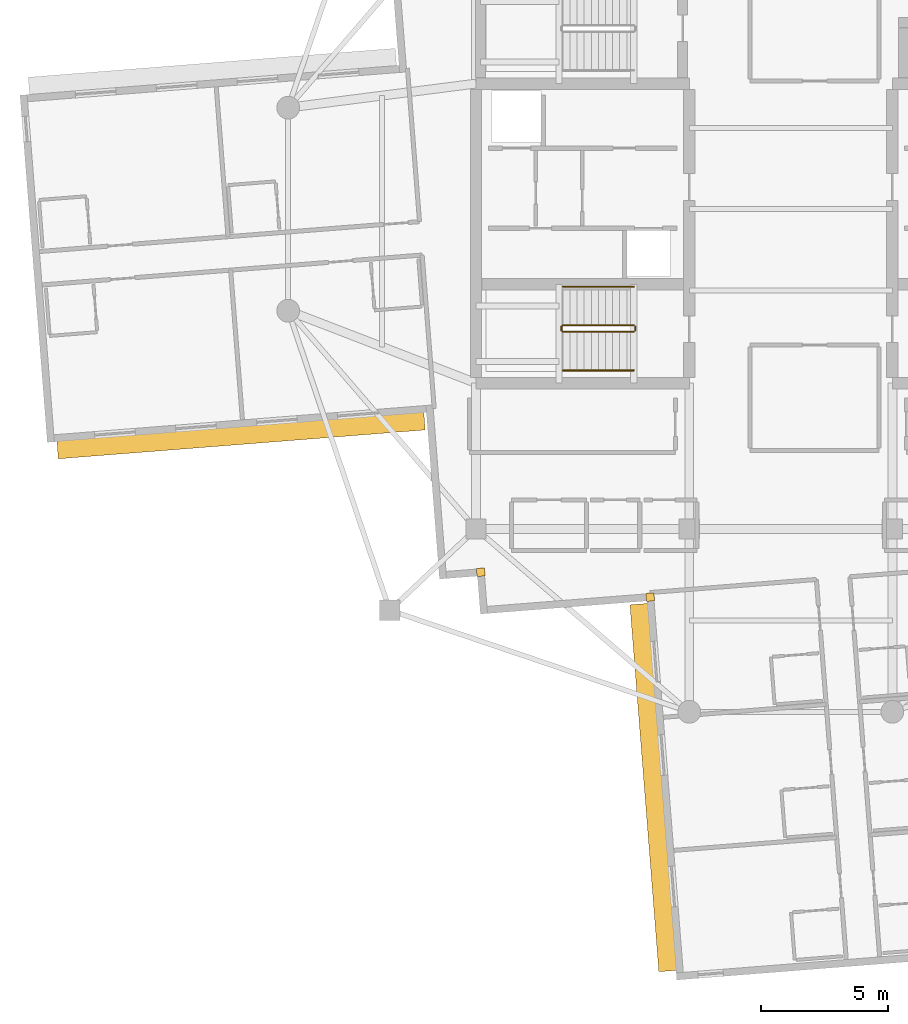
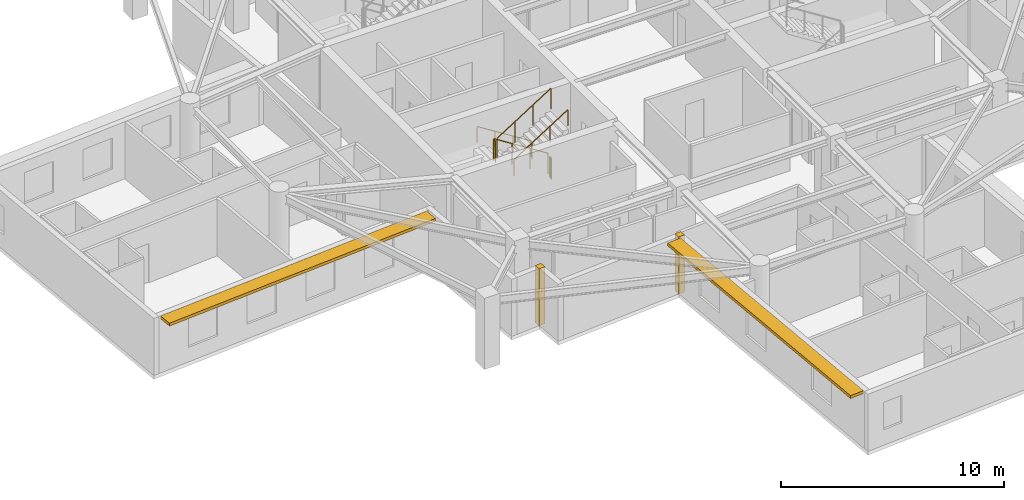
# One storey, part 10 of 13: 6 railings, 2 coverings, 2 shading devices.
"""IFC4 building model written with IfcOpenShell, lengths in metres."""

from ifc_helpers import new_model, si_unit, direction, frame, origin, origin_2d, place, context, subcontext, project, spatial, rectangle, circle, extrude, material, layer, layer_set, type_object, element, save


model = new_model("IFC4")

# Units and contexts
model_context = context("Model", 3, precision=1e-05, world=origin(), true_north=direction((0.0, 1.0)))
body_context = subcontext(model_context, "Body", "Model", "MODEL_VIEW")
ifc_project = project(units=[si_unit("LENGTHUNIT", "METRE"), si_unit("AREAUNIT", "SQUARE_METRE"), si_unit("VOLUMEUNIT", "CUBIC_METRE"), si_unit("PLANEANGLEUNIT", "RADIAN"), si_unit("MASSUNIT", "GRAM", prefix="KILO")], contexts=[model_context])

# Site, building, storey
site_placement = place(None, origin())
site = spatial("IfcSite", under=ifc_project, at=site_placement, CompositionType="ELEMENT")
building_placement = place(site_placement, origin())
building = spatial("IfcBuilding", under=site, at=building_placement, Name="Qingluan Cross Belvedere", CompositionType="ELEMENT")
storey_placement = place(building_placement, frame((0.0, 0.0, 285.0)))
storey = spatial("IfcBuildingStorey", under=building, at=storey_placement, Name="L71", CompositionType="ELEMENT", Elevation=285.0)

# Coverings
ifc_material_1 = material(Name="Precast concrete C45", Category="concrete")
ifc_layer_1 = layer(ifc_material_1, 0.1201171875, Name="ConcreteSpandrelCladding_120")
ifc_layer_set_1 = layer_set([ifc_layer_1], Name="Precast concrete C45")
covering_type = type_object("IfcCoveringType", Name="ConcreteSpandrelCladding_120", PredefinedType="CLADDING", material=ifc_layer_set_1)
for number, where, z_axis, x_axis, name in (
    (1, (-12.215576171875, -14.302490234375, 0.0), (0.0, 0.0, 1.0), (0.996917333733, 0.078459095728, 0.0), "Corner closure L71-SW1"),
    (2, (-5.5380859375, -15.281494140625, 0.0), (0.0, 0.0, 1.0), (0.996917333733, 0.078459095728, 0.0), "Corner closure L71-SW2"),
):
    element("IfcCovering", number, at=place(storey_placement, frame(where, z_axis=z_axis, x_axis=x_axis)), inside=storey, type_object=covering_type, Name=name, PredefinedType="CLADDING", context=body_context, shape_type="SweptSolid", body=[
        extrude(rectangle(XDim=0.320068359375, YDim=0.320068359375, at=origin_2d()), origin(), (0.0, 0.0, 1.0), 3.1298828125),
    ])

# Shading devices
ifc_material_2 = material(Name="Precast concrete C45", Category="concrete")
ifc_layer_2 = layer(ifc_material_2, 0.139892578125, Name="ConcreteSunshadeBand_700")
ifc_layer_set_2 = layer_set([ifc_layer_2], Name="Precast concrete C45")
shading_device_type = type_object("IfcShadingDeviceType", Name="ConcreteSunshadeBand_700", PredefinedType="USERDEFINED", material=ifc_layer_set_2)
for number, where, z_axis, x_axis, name in (
    (3, (-21.6572265625, -8.916748046875, 2.9501953125), (0.0, 0.0, 1.0), (0.996917599256, 0.078455721862, 0.0), "Concrete SUNSHADE L71-WB"),
    (4, (-5.4189453125, -22.785400390625, 2.9501953125), (0.0, 0.0, 1.0), (0.078455721862, -0.996917599256, 0.0), "Concrete SUNSHADE L71-SA"),
):
    element("IfcShadingDevice", number, at=place(storey_placement, frame(where, z_axis=z_axis, x_axis=x_axis)), inside=storey, type_object=shading_device_type, Name=name, ObjectType="SUNSHADE", PredefinedType="USERDEFINED", context=body_context, shape_type="SweptSolid", body=[
        extrude(rectangle(XDim=14.5, YDim=0.699951171875, at=origin_2d()), origin(), (0.0, 0.0, 1.0), 0.159912109375),
    ])

# Railings
ifc_material_3 = material(Name="Brushed stainless steel tubular handrail", Category="steel")
railing_type_1 = type_object("IfcRailingType", Name="StairPitchHandrail_900", PredefinedType="HANDRAIL", material=ifc_material_3)
railing_1_placement = place(storey_placement, frame((-6.179931640625, -3.050048828125, 0.17724609375)))
element("IfcRailing", 5, at=railing_1_placement, inside=storey, type_object=railing_type_1, Name="L71 ST1 stair handrail 1", PredefinedType="HANDRAIL", context=body_context, shape_type="SweptSolid", body=[
    extrude(circle(Radius=0.02392578125, at=origin_2d()), frame((0.0, 0.0, 0.8759765625), z_axis=(-0.844908973607, 0.0, 0.534910110503), x_axis=(0.0, -1.0, 0.0)), (0.0, 0.0, 1.0), 3.31396484375),
    extrude(circle(Radius=0.02099609375, at=origin_2d()), origin(), (0.0, 0.0, 1.0), 0.851806640625),
    extrude(circle(Radius=0.02099609375, at=origin_2d()), frame((-0.933349609375, 0.0, 0.5908203125)), (0.0, 0.0, 1.0), 0.851806640625),
    extrude(circle(Radius=0.02099609375, at=origin_2d()), frame((-1.86669921875, 0.0, 1.181884765625)), (0.0, 0.0, 1.0), 0.851806640625),
    extrude(circle(Radius=0.02099609375, at=origin_2d()), frame((-2.800048828125, 0.0, 1.772705078125)), (0.0, 0.0, 1.0), 0.851806640625),
])
railing_2_placement = place(storey_placement, frame((-8.97998046875, -6.35009765625, 2.127197265625)))
element("IfcRailing", 6, at=railing_2_placement, inside=storey, type_object=railing_type_1, Name="L71 ST1 stair handrail 2", PredefinedType="HANDRAIL", context=body_context, shape_type="SweptSolid", body=[
    extrude(circle(Radius=0.02392578125, at=origin_2d()), frame((0.0, 0.0, 0.8759765625), z_axis=(0.844908973607, 0.0, 0.534910110503), x_axis=(0.0, 1.0, 0.0)), (0.0, 0.0, 1.0), 3.31396484375),
    extrude(circle(Radius=0.02099609375, at=origin_2d()), origin(), (0.0, 0.0, 1.0), 0.851806640625),
    extrude(circle(Radius=0.02099609375, at=origin_2d()), frame((0.933349609375, 0.0, 0.5908203125)), (0.0, 0.0, 1.0), 0.851806640625),
    extrude(circle(Radius=0.02099609375, at=origin_2d()), frame((1.86669921875, 0.0, 1.181884765625)), (0.0, 0.0, 1.0), 0.851806640625),
    extrude(circle(Radius=0.02099609375, at=origin_2d()), frame((2.800048828125, 0.0, 1.772705078125)), (0.0, 0.0, 1.0), 0.851806640625),
])
ifc_material_4 = material(Name="Painted steel stair well guard", Category="steel")
railing_type_2 = type_object("IfcRailingType", Name="StairWellGuard_1150", PredefinedType="BALUSTRADE", material=ifc_material_4)
railing_3_placement = place(storey_placement, frame((-6.179931640625, -4.570068359375, 0.17724609375)))
element("IfcRailing", 7, at=railing_3_placement, inside=storey, type_object=railing_type_2, Name="L71 ST1 stair guard 1", PredefinedType="BALUSTRADE", context=body_context, shape_type="SweptSolid", body=[
    extrude(circle(Radius=0.02392578125, at=origin_2d()), frame((0.0, 0.0, 1.1259765625), z_axis=(-0.844908973607, 0.0, 0.534910110503), x_axis=(0.0, -1.0, 0.0)), (0.0, 0.0, 1.0), 3.31396484375),
    extrude(circle(Radius=0.02099609375, at=origin_2d()), origin(), (0.0, 0.0, 1.0), 1.101806640625),
    extrude(circle(Radius=0.02099609375, at=origin_2d()), frame((-0.933349609375, 0.0, 0.5908203125)), (0.0, 0.0, 1.0), 1.101806640625),
    extrude(circle(Radius=0.02099609375, at=origin_2d()), frame((-1.86669921875, 0.0, 1.181884765625)), (0.0, 0.0, 1.0), 1.101806640625),
    extrude(circle(Radius=0.02099609375, at=origin_2d()), frame((-2.800048828125, 0.0, 1.772705078125)), (0.0, 0.0, 1.0), 1.101806640625),
])
railing_4_placement = place(storey_placement, frame((-9.030029296875, -4.6201171875, 1.949951171875)))
element("IfcRailing", 8, at=railing_4_placement, inside=storey, type_object=railing_type_2, Name="L71 ST1 stair guard 2", PredefinedType="BALUSTRADE", context=body_context, shape_type="SweptSolid", body=[
    extrude(circle(Radius=0.02392578125, at=origin_2d()), frame((0.0, 0.0, 1.1259765625), z_axis=(0.0, -1.0, 0.0), x_axis=(1.0, 0.0, 0.0)), (0.0, 0.0, 1.0), 0.159912109375),
    extrude(circle(Radius=0.02099609375, at=origin_2d()), origin(), (0.0, 0.0, 1.0), 1.101806640625),
    extrude(circle(Radius=0.02099609375, at=origin_2d()), frame((0.0, -0.159912109375, 0.0)), (0.0, 0.0, 1.0), 1.101806640625),
])
railing_5_placement = place(storey_placement, frame((-8.97998046875, -4.830078125, 2.127197265625)))
element("IfcRailing", 9, at=railing_5_placement, inside=storey, type_object=railing_type_2, Name="L71 ST1 stair guard 3", PredefinedType="BALUSTRADE", context=body_context, shape_type="SweptSolid", body=[
    extrude(circle(Radius=0.02392578125, at=origin_2d()), frame((0.0, 0.0, 1.1259765625), z_axis=(0.844908973607, 0.0, 0.534910110503), x_axis=(0.0, 1.0, 0.0)), (0.0, 0.0, 1.0), 3.31396484375),
    extrude(circle(Radius=0.02099609375, at=origin_2d()), origin(), (0.0, 0.0, 1.0), 1.101806640625),
    extrude(circle(Radius=0.02099609375, at=origin_2d()), frame((0.933349609375, 0.0, 0.5908203125)), (0.0, 0.0, 1.0), 1.101806640625),
    extrude(circle(Radius=0.02099609375, at=origin_2d()), frame((1.86669921875, 0.0, 1.181884765625)), (0.0, 0.0, 1.0), 1.101806640625),
    extrude(circle(Radius=0.02099609375, at=origin_2d()), frame((2.800048828125, 0.0, 1.772705078125)), (0.0, 0.0, 1.0), 1.101806640625),
])
railing_6_placement = place(storey_placement, frame((-6.1298828125, -4.6201171875, 0.0)))
element("IfcRailing", 10, at=railing_6_placement, inside=storey, type_object=railing_type_2, Name="L71 ST1 stair guard 4", PredefinedType="BALUSTRADE", context=body_context, shape_type="SweptSolid", body=[
    extrude(circle(Radius=0.02392578125, at=origin_2d()), frame((0.0, 0.0, 1.1259765625), z_axis=(0.0, -1.0, 0.0), x_axis=(1.0, 0.0, 0.0)), (0.0, 0.0, 1.0), 0.159912109375),
    extrude(circle(Radius=0.02099609375, at=origin_2d()), origin(), (0.0, 0.0, 1.0), 1.101806640625),
    extrude(circle(Radius=0.02099609375, at=origin_2d()), frame((0.0, -0.159912109375, 0.0)), (0.0, 0.0, 1.0), 1.101806640625),
])

save(model, "model.ifc")
